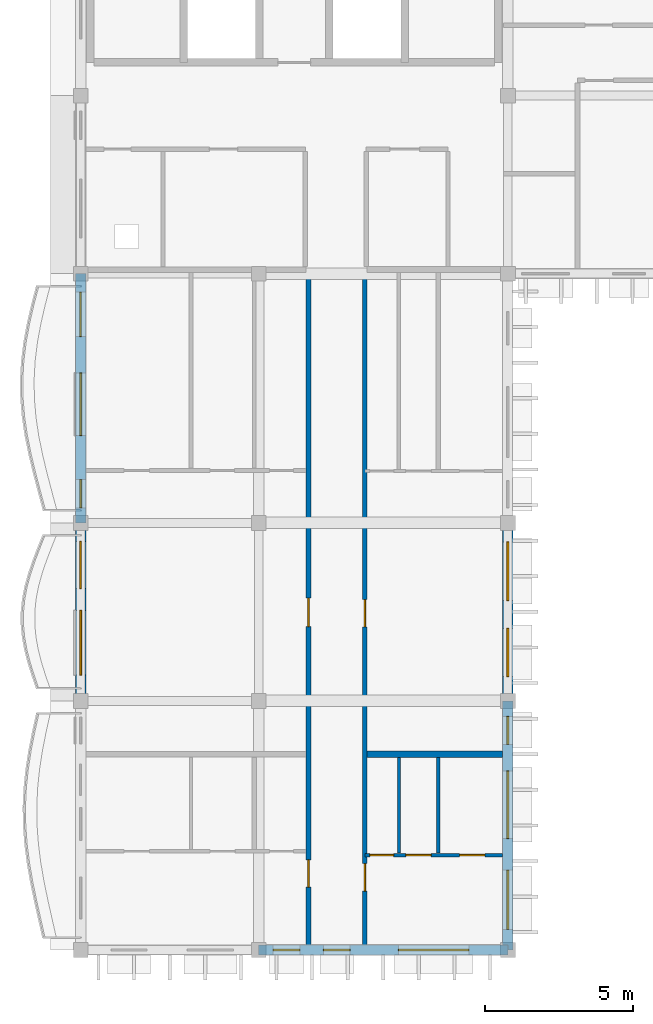
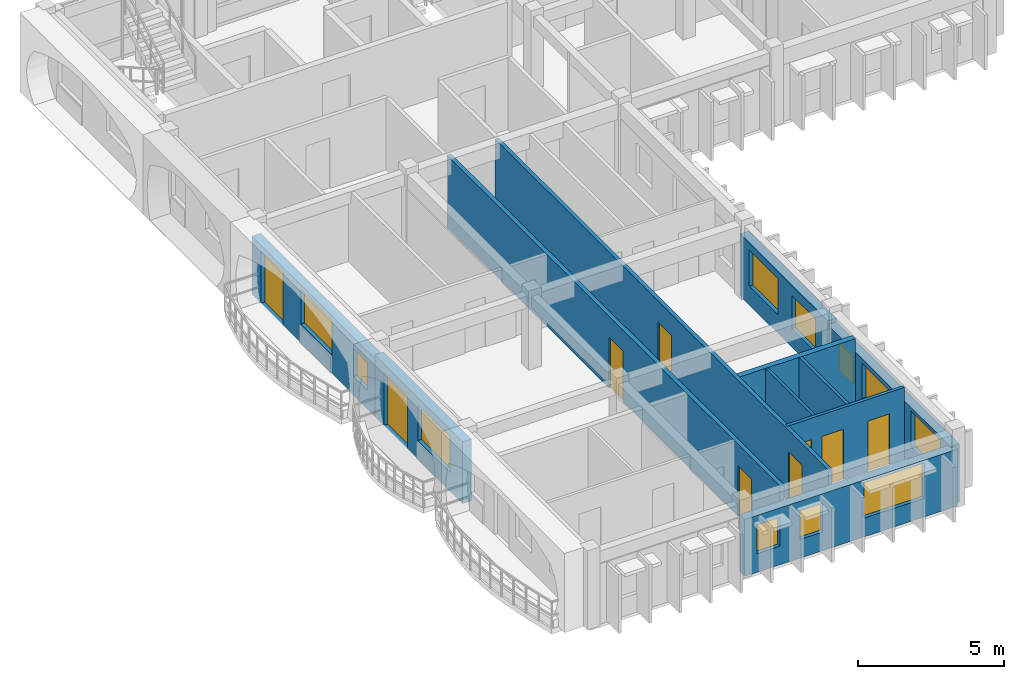
# One storey, part 4 of 11: 11 walls, 11 windows, 9 doors, 20 openings.
"""IFC4 building model written with IfcOpenShell, lengths in metres."""

import ifcopenshell
import ifcopenshell.guid

model = None  # the IFC model being written
_history = None  # IfcOwnerHistory: only IFC2X3 demands one
_inside = {}  # id of a spatial element -> (the spatial element, [elements in it])
_under = {}  # id of a project, library or spatial element -> (it, [spatial elements below it])
_declared = {}  # id of a project -> (the project, [libraries it declares])
_typed = {}  # id of a type object -> (the type object, [elements of that type])
_made_of = {}  # id of a material, layer set ... -> (it, [elements and type objects made of it])


def new_model(schema):
    """Start an empty IFC model of exactly this schema.

    Asked for "IFC4X3", IfcOpenShell would pick the latest addendum, in which some entities
    have other attributes; the version numbers below select the first issue.
    IFC2X3 requires an IfcOwnerHistory on every rooted entity: one is made here for all.
    """
    global model, _history
    if schema == "IFC4X3":
        model = ifcopenshell.file(schema_version=(4, 3, 0, 0))
    else:
        model = ifcopenshell.file(schema=schema)
    _inside.clear()
    _under.clear()
    _declared.clear()
    _typed.clear()
    _made_of.clear()
    _history = None
    if model.schema == "IFC2X3":
        org = make("IfcOrganization", Name="unknown")
        user = make(
            "IfcPersonAndOrganization",
            ThePerson=make("IfcPerson", FamilyName="unknown"),
            TheOrganization=org,
        )
        app = make(
            "IfcApplication",
            ApplicationDeveloper=org,
            Version="unknown",
            ApplicationFullName="unknown",
            ApplicationIdentifier="unknown",
        )
        _history = make(
            "IfcOwnerHistory",
            OwningUser=user,
            OwningApplication=app,
            ChangeAction="ADDED",
            CreationDate=0,
        )
    return model


def make(cls, **values):
    """One entity of the class cls with the attributes given. An attribute that is None is left unset."""
    return model.create_entity(
        cls, **{name: value for name, value in values.items() if value is not None}
    )


def rooted(cls, **values):
    """An entity with a GlobalId (a new one), such as an element, a storey or a relation."""
    return make(cls, GlobalId=ifcopenshell.guid.new(), OwnerHistory=_history, **values)


def si_unit(unit_type, name, prefix=None):
    """IfcSIUnit, for example si_unit("LENGTHUNIT", "METRE", prefix="MILLI")."""
    return make("IfcSIUnit", UnitType=unit_type, Prefix=prefix, Name=name)


def assignment(units):
    """IfcUnitAssignment: the units of a project."""
    return None if units is None else make("IfcUnitAssignment", Units=units)


def point(xyz):
    """IfcCartesianPoint."""
    return None if xyz is None else make("IfcCartesianPoint", Coordinates=xyz)


def direction(xyz):
    """IfcDirection."""
    return None if xyz is None else make("IfcDirection", DirectionRatios=xyz)


def frame(location, z_axis=None, x_axis=None):
    """IfcAxis2Placement3D, a coordinate frame: its origin and axes. An axis left out is left unset."""
    return make(
        "IfcAxis2Placement3D",
        Location=point(location),
        Axis=direction(z_axis),
        RefDirection=direction(x_axis),
    )


def frame_2d(location, x_axis=None):
    """IfcAxis2Placement2D, a coordinate frame in the plane: its origin and x axis."""
    return make(
        "IfcAxis2Placement2D", Location=point(location), RefDirection=direction(x_axis)
    )


def origin():
    """The frame at (0, 0, 0) with its axes left unset."""
    return frame((0.0, 0.0, 0.0))


def place(relative_to, where):
    """IfcLocalPlacement: puts the frame where relative to a parent placement (None: the world)."""
    return make(
        "IfcLocalPlacement", PlacementRelTo=relative_to, RelativePlacement=where
    )


def context(
    kind, dimensions, precision=None, world=None, true_north=None, identifier=None
):
    """IfcGeometricRepresentationContext, for example the 3D "Model" context."""
    return make(
        "IfcGeometricRepresentationContext",
        ContextIdentifier=identifier,
        ContextType=kind,
        CoordinateSpaceDimension=dimensions,
        Precision=precision,
        WorldCoordinateSystem=world,
        TrueNorth=true_north,
    )


def subcontext(parent, identifier, kind, view, scale=None):
    """IfcGeometricRepresentationSubContext, for example "Body" below "Model"."""
    return make(
        "IfcGeometricRepresentationSubContext",
        ContextIdentifier=identifier,
        ContextType=kind,
        ParentContext=parent,
        TargetScale=scale,
        TargetView=view,
    )


def project(units=None, contexts=None):
    """IfcProject with its units and contexts."""
    return rooted(
        "IfcProject",
        Name="project",
        RepresentationContexts=contexts,
        UnitsInContext=assignment(units),
    )


def spatial(cls, under=None, at=None, **own):
    """A site, building, storey or space (cls), placed at a placement, below another one or the project."""
    s = rooted(cls, ObjectPlacement=at, **own)
    if under is not None:
        _under.setdefault(under.id(), (under, []))[1].append(s)
    return s


def profile(cls, at=None, kind="AREA", **sizes):
    """A parametric profile (cls). Its sizes go by their IFC names, for example OverallWidth=200.0."""
    return make(cls, ProfileType=kind, Position=at, **sizes)


def rectangle(**sizes):
    """IfcRectangleProfileDef."""
    return profile("IfcRectangleProfileDef", **sizes)


def extrude(swept, where, along, depth):
    """IfcExtrudedAreaSolid: the profile swept, set in the frame where, extruded along a direction by depth."""
    return make(
        "IfcExtrudedAreaSolid",
        SweptArea=swept,
        Position=where,
        ExtrudedDirection=direction(along),
        Depth=depth,
    )


def shape(context_of_items, identifier, shape_type, items):
    """IfcShapeRepresentation: the items that make up one representation, for example the "Body"."""
    return make(
        "IfcShapeRepresentation",
        ContextOfItems=context_of_items,
        RepresentationIdentifier=identifier,
        RepresentationType=shape_type,
        Items=items,
    )


def material(Name=None, Category=None):
    """IfcMaterial."""
    return make("IfcMaterial", Name=Name, Category=Category)


def layer(
    of_material, thickness, ventilated=None, Name=None, Category=None, Priority=None
):
    """IfcMaterialLayer: one layer of a wall or slab, of a material (None: an air gap)."""
    return make(
        "IfcMaterialLayer",
        Material=of_material,
        LayerThickness=thickness,
        IsVentilated=ventilated,
        Name=Name,
        Category=Category,
        Priority=Priority,
    )


def layer_set(layers, Name=None):
    """IfcMaterialLayerSet."""
    return make("IfcMaterialLayerSet", MaterialLayers=layers, LayerSetName=Name)


def made_of(thing, what):
    """Note that an element or type object is made of a material, layer set ...; save() writes the relation."""
    if what is not None:
        _made_of.setdefault(what.id(), (what, []))[1].append(thing)
    return thing


def type_object(cls, material=None, **own):
    """A type object (cls), such as IfcWallType, which elements share."""
    return made_of(rooted(cls, **own), material)


def element(
    cls,
    number,
    at=None,
    inside=None,
    cuts=None,
    type_object=None,
    material=None,
    context=None,
    identifier="Body",
    shape_type=None,
    held_by="IfcProductDefinitionShape",
    body=None,
    shapes=None,
    **own,
):
    """One element of the class cls, such as IfcWall. Its Tag is "e" and its number.

    at: its placement. inside: the storey or other place that contains it. cuts: it is an
    opening in that element (IfcRelVoidsElement). A single representation is given by context,
    identifier, shape_type and body (its items); several are given by shapes. held_by: the class
    of the entity that holds the representations. save() writes the other relations.
    """
    e = rooted(cls, Tag="e%d" % number, ObjectPlacement=at, **own)
    if body is not None:
        shapes = [shape(context, identifier, shape_type, body)]
    if shapes is not None:
        e.Representation = make(held_by, Representations=shapes)
    if inside is not None:
        _inside.setdefault(inside.id(), (inside, []))[1].append(e)
    if cuts is not None:
        rooted(
            "IfcRelVoidsElement", RelatingBuildingElement=cuts, RelatedOpeningElement=e
        )
    if type_object is not None:
        _typed.setdefault(type_object.id(), (type_object, []))[1].append(e)
    return made_of(e, material)


def fill(opening, filler):
    """IfcRelFillsElement: the door or window that sits in an opening."""
    return rooted(
        "IfcRelFillsElement",
        RelatingOpeningElement=opening,
        RelatedBuildingElement=filler,
    )


def aggregate(whole, parts):
    """IfcRelAggregates: a whole, such as a stair, and the parts it consists of."""
    return rooted("IfcRelAggregates", RelatingObject=whole, RelatedObjects=parts)


def save(model, path):
    """Write the relations noted so far, then the file.

    IfcRelAggregates (storeys below a building ...), IfcRelContainedInSpatialStructure (elements
    in a storey), IfcRelDefinesByType, IfcRelAssociatesMaterial and IfcRelDeclares: one each for
    every whole, place, type object, material and project.
    """
    for whole, parts in _under.values():
        aggregate(whole, parts)
    for where, things in _inside.values():
        rooted(
            "IfcRelContainedInSpatialStructure",
            RelatedElements=things,
            RelatingStructure=where,
        )
    for kind, things in _typed.values():
        rooted("IfcRelDefinesByType", RelatedObjects=things, RelatingType=kind)
    for what, things in _made_of.values():
        rooted("IfcRelAssociatesMaterial", RelatedObjects=things, RelatingMaterial=what)
    for by, libraries in _declared.values():
        rooted("IfcRelDeclares", RelatingContext=by, RelatedDefinitions=libraries)
    model.write(path)


model = new_model("IFC4")

# Units and contexts
model_context = context("Model", 3, precision=1e-05, world=origin(), true_north=direction((0.0, 1.0)))
body_context = subcontext(model_context, "Body", "Model", "MODEL_VIEW")
ifc_project = project(units=[si_unit("LENGTHUNIT", "METRE"), si_unit("AREAUNIT", "SQUARE_METRE"), si_unit("VOLUMEUNIT", "CUBIC_METRE"), si_unit("PLANEANGLEUNIT", "RADIAN"), si_unit("MASSUNIT", "GRAM", prefix="KILO"), si_unit("THERMODYNAMICTEMPERATUREUNIT", "KELVIN")], contexts=[model_context])

# Site, building, storey
site_placement = place(None, origin())
site = spatial("IfcSite", under=ifc_project, at=site_placement, CompositionType="ELEMENT")
building_placement = place(site_placement, origin())
building = spatial("IfcBuilding", under=site, at=building_placement, Name="Thalorik Housing Commons", CompositionType="ELEMENT")
storey_placement = place(building_placement, frame((0.0, 0.0, 47.699951171875)))
storey = spatial("IfcBuildingStorey", under=building, at=storey_placement, Name="L14", CompositionType="ELEMENT", Elevation=47.699951171875)

# Wall, openings, doors
ifc_material_1 = material(Name="Masonry fire-rated corridor wall", Category="masonry")
ifc_layer_1 = layer(ifc_material_1, 0.14990234375, Name="Masonry fire-rated corridor wall", Category="masonry")
ifc_layer_set_1 = layer_set([ifc_layer_1], Name="Masonry fire-rated corridor wall")
wall_type_1 = type_object("IfcWallType", Name="ARC-WAL-CORR-150", PredefinedType="PARTITIONING", material=ifc_layer_set_1)
wall_1_placement = place(storey_placement, frame((17.97998046875, 86.576904296875, 0.0), z_axis=(0.0, 0.0, 1.0), x_axis=(0.0, 1.0, 0.0)))
wall_1 = element("IfcWall", 1, at=wall_1_placement, inside=storey, type_object=wall_type_1, Name="L14 Block A W Corridor Wall 2", PredefinedType="PARTITIONING", context=body_context, shape_type="SweptSolid", body=[
    extrude(rectangle(XDim=22.76318359375, YDim=0.14990234375, at=frame_2d((11.381591796875, 0.0))), origin(), (0.0, 0.0, 1.0), 3.0),
])
opening_1_placement = place(wall_1_placement, frame((1.812255859375, 0.0, 0.0)))
opening_1 = element("IfcOpeningElement", 2, at=opening_1_placement, cuts=wall_1, Name="Opening ID-0971", PredefinedType="OPENING", context=body_context, shape_type="SweptSolid", body=[
    extrude(rectangle(XDim=0.919921875, YDim=2.10009765625, at=frame_2d((0.4599609375, 1.050048828125))), frame((0.0, 0.0849609375, 0.0), z_axis=(0.0, -1.0, 0.0), x_axis=(1.0, 0.0, 0.0)), (0.0, 0.0, 1.0), 0.169921875),
])
opening_2_placement = place(wall_1_placement, frame((10.714599609375, 0.0, 0.0)))
opening_2 = element("IfcOpeningElement", 3, at=opening_2_placement, cuts=wall_1, Name="Opening ID-0972", PredefinedType="OPENING", context=body_context, shape_type="SweptSolid", body=[
    extrude(rectangle(XDim=0.919921875, YDim=2.10009765625, at=frame_2d((0.4599609375, 1.050048828125))), frame((0.0, 0.0849609375, 0.0), z_axis=(0.0, -1.0, 0.0), x_axis=(1.0, 0.0, 0.0)), (0.0, 0.0, 1.0), 0.169921875),
])
ifc_material_2 = material(Name="Solid core hardwood timber", Category="wood")
door_type_1 = type_object("IfcDoorType", Name="ARC-DR-FD30-920", OperationType="NOTDEFINED", PredefinedType="DOOR", material=ifc_material_2)
door_1_placement = place(opening_1_placement, origin())
door_1 = element("IfcDoor", 4, at=door_1_placement, inside=storey, type_object=door_type_1, Name="L14 Flat AW-1B Entrance Door", OperationType="SINGLE_SWING_RIGHT", OverallHeight=2.10009765625, OverallWidth=0.919921875, PredefinedType="DOOR", context=body_context, shape_type="SweptSolid", body=[
    extrude(rectangle(XDim=0.919921875, YDim=2.10009765625, at=frame_2d((0.4599609375, 1.050048828125))), frame((0.0, 0.02490234375, 0.0), z_axis=(0.0, -1.0, 0.0), x_axis=(1.0, 0.0, 0.0)), (0.0, 0.0, 1.0), 0.050048828125),
])
fill(opening_1, door_1)
door_2_placement = place(opening_2_placement, origin())
door_2 = element("IfcDoor", 5, at=door_2_placement, inside=storey, type_object=door_type_1, Name="L14 Flat AW-2B Entrance Door", OperationType="SINGLE_SWING_LEFT", OverallHeight=2.10009765625, OverallWidth=0.919921875, PredefinedType="DOOR", context=body_context, shape_type="SweptSolid", body=[
    extrude(rectangle(XDim=0.919921875, YDim=2.10009765625, at=frame_2d((0.4599609375, 1.050048828125))), frame((0.0, 0.02490234375, 0.0), z_axis=(0.0, -1.0, 0.0), x_axis=(1.0, 0.0, 0.0)), (0.0, 0.0, 1.0), 0.050048828125),
])
fill(opening_2, door_2)

ifc_layer_2 = layer(ifc_material_1, 0.1650390625, Name="Masonry fire-rated corridor wall", Category="masonry")
ifc_layer_set_2 = layer_set([ifc_layer_2], Name="Masonry fire-rated corridor wall")
wall_type_2 = type_object("IfcWallType", Name="ARC-WAL-CORR-165", PredefinedType="PARTITIONING", material=ifc_layer_set_2)
wall_2_placement = place(storey_placement, frame((16.080078125, 86.576904296875, 0.0), z_axis=(0.0, 0.0, 1.0), x_axis=(0.0, 1.0, 0.0)))
wall_2 = element("IfcWall", 6, at=wall_2_placement, inside=storey, type_object=wall_type_2, Name="L14 Block A W Corridor Wall 1", PredefinedType="PARTITIONING", context=body_context, shape_type="SweptSolid", body=[
    extrude(rectangle(XDim=22.76318359375, YDim=0.1650390625, at=frame_2d((11.381591796875, 0.0))), origin(), (0.0, 0.0, 1.0), 3.0),
])
opening_3_placement = place(wall_2_placement, frame((1.943115234375, 0.0, 0.0)))
opening_3 = element("IfcOpeningElement", 7, at=opening_3_placement, cuts=wall_2, Name="Opening ID-0969", PredefinedType="OPENING", context=body_context, shape_type="SweptSolid", body=[
    extrude(rectangle(XDim=0.919921875, YDim=2.10009765625, at=frame_2d((0.4599609375, 1.050048828125))), frame((0.0, 0.092529296875, 0.0), z_axis=(0.0, -1.0, 0.0), x_axis=(1.0, 0.0, 0.0)), (0.0, 0.0, 1.0), 0.18505859375),
])
opening_4_placement = place(wall_2_placement, frame((10.72802734375, 0.0, 0.0)))
opening_4 = element("IfcOpeningElement", 8, at=opening_4_placement, cuts=wall_2, Name="Opening ID-0970", PredefinedType="OPENING", context=body_context, shape_type="SweptSolid", body=[
    extrude(rectangle(XDim=0.9599609375, YDim=2.1201171875, at=frame_2d((0.47998046875, 1.06005859375))), frame((0.0, 0.092529296875, 0.0), z_axis=(0.0, -1.0, 0.0), x_axis=(1.0, 0.0, 0.0)), (0.0, 0.0, 1.0), 0.18505859375),
])
door_3_placement = place(opening_3_placement, origin())
door_3 = element("IfcDoor", 9, at=door_3_placement, inside=storey, type_object=door_type_1, Name="L14 Flat AW-1A Entrance Door", OperationType="SINGLE_SWING_RIGHT", OverallHeight=2.10009765625, OverallWidth=0.919921875, PredefinedType="DOOR", context=body_context, shape_type="SweptSolid", body=[
    extrude(rectangle(XDim=0.919921875, YDim=2.10009765625, at=frame_2d((0.4599609375, 1.050048828125))), frame((0.0, 0.02490234375, 0.0), z_axis=(0.0, -1.0, 0.0), x_axis=(1.0, 0.0, 0.0)), (0.0, 0.0, 1.0), 0.050048828125),
])
fill(opening_3, door_3)
door_type_2 = type_object("IfcDoorType", Name="ARC-DR-FD30-960", OperationType="NOTDEFINED", PredefinedType="DOOR", material=ifc_material_2)
door_4_placement = place(opening_4_placement, origin())
door_4 = element("IfcDoor", 10, at=door_4_placement, inside=storey, type_object=door_type_2, Name="L14 Flat AW-2A Entrance Door", OperationType="SINGLE_SWING_LEFT", OverallHeight=2.1201171875, OverallWidth=0.9599609375, PredefinedType="DOOR", context=body_context, shape_type="SweptSolid", body=[
    extrude(rectangle(XDim=0.9599609375, YDim=2.1201171875, at=frame_2d((0.47998046875, 1.06005859375))), frame((0.0, 0.02490234375, 0.0), z_axis=(0.0, -1.0, 0.0), x_axis=(1.0, 0.0, 0.0)), (0.0, 0.0, 1.0), 0.050048828125),
])
fill(opening_4, door_4)

# Wall, openings, door, windows
ifc_material_3 = material(Name="White precast concrete C40/50", Category="concrete")
ifc_layer_3 = layer(ifc_material_3, 0.35009765625, Name="White precast concrete C40/50", Category="concrete")
ifc_layer_set_3 = layer_set([ifc_layer_3], Name="White precast concrete C40/50")
wall_type_3 = type_object("IfcWallType", Name="ARC-WAL-EXT-350", PredefinedType="STANDARD", material=ifc_layer_set_3)
wall_3_placement = place(storey_placement, frame((8.39990234375, 109.199951171875, 0.0), z_axis=(0.0, 0.0, 1.0), x_axis=(0.0, -1.0, 0.0)))
wall_3 = element("IfcWall", 11, at=wall_3_placement, inside=storey, type_object=wall_type_3, Name="L14 Exterior Wall WAL-EXT-L14-A-0343", PredefinedType="STANDARD", context=body_context, shape_type="SweptSolid", body=[
    extrude(rectangle(XDim=8.39990234375, YDim=0.35009765625, at=frame_2d((4.199951171875, 0.0))), origin(), (0.0, 0.0, 1.0), 2.425048828125),
])
opening_5_placement = place(wall_3_placement, frame((0.6201171875, 0.0, 0.0)))
opening_5 = element("IfcOpeningElement", 12, at=opening_5_placement, cuts=wall_3, Name="Opening ED-0108", PredefinedType="OPENING", context=body_context, shape_type="SweptSolid", body=[
    extrude(rectangle(XDim=1.5, YDim=2.199951171875, at=frame_2d((0.75, 1.10009765625))), frame((0.0, 0.18505859375, 0.0), z_axis=(0.0, -1.0, 0.0), x_axis=(1.0, 0.0, 0.0)), (0.0, 0.0, 1.0), 0.3701171875),
])
opening_6_placement = place(wall_3_placement, frame((3.340087890625, 0.0, 0.780029296875)))
opening_6 = element("IfcOpeningElement", 13, at=opening_6_placement, cuts=wall_3, Name="Opening W-64", PredefinedType="OPENING", context=body_context, shape_type="SweptSolid", body=[
    extrude(rectangle(XDim=2.1201171875, YDim=1.43994140625, at=frame_2d((1.06005859375, 0.719970703125))), frame((0.0, 0.18505859375, 0.0), z_axis=(0.0, -1.0, 0.0), x_axis=(1.0, 0.0, 0.0)), (0.0, 0.0, 1.0), 0.3701171875),
])
opening_7_placement = place(wall_3_placement, frame((6.945068359375, 0.0, 0.780029296875)))
opening_7 = element("IfcOpeningElement", 14, at=opening_7_placement, cuts=wall_3, Name="Opening W-43", PredefinedType="OPENING", context=body_context, shape_type="SweptSolid", body=[
    extrude(rectangle(XDim=0.949951171875, YDim=1.14990234375, at=frame_2d((0.47509765625, 0.574951171875))), frame((0.0, 0.18505859375, 0.0), z_axis=(0.0, -1.0, 0.0), x_axis=(1.0, 0.0, 0.0)), (0.0, 0.0, 1.0), 0.3701171875),
])
ifc_material_4 = material(Name="Anodised aluminium and laminated safety glass", Category="aluminium")
door_type_3 = type_object("IfcDoorType", Name="ARC-DR-BAL-1500", OperationType="NOTDEFINED", PredefinedType="DOOR", material=ifc_material_4)
door_5_placement = place(opening_5_placement, frame((1.5, 0.0, 0.0), z_axis=(0.0, 0.0, 1.0), x_axis=(-1.0, 0.0, 0.0)))
door_5 = element("IfcDoor", 15, at=door_5_placement, inside=storey, type_object=door_type_3, Name="L14 Block A Balcony Glazed Door", OperationType="SLIDING_TO_RIGHT", OverallHeight=2.199951171875, OverallWidth=1.5, PredefinedType="DOOR", context=body_context, shape_type="SweptSolid", body=[
    extrude(rectangle(XDim=1.5, YDim=2.199951171875, at=frame_2d((0.75, 1.10009765625))), frame((0.0, 0.02490234375, 0.0), z_axis=(0.0, -1.0, 0.0), x_axis=(1.0, 0.0, 0.0)), (0.0, 0.0, 1.0), 0.050048828125),
])
fill(opening_5, door_5)
ifc_material_5 = material(Name="Anodised aluminium and solar-control low-E glass", Category="aluminium")
window_type_1 = type_object("IfcWindowType", Name="ARC-WIN-43", PartitioningType="SINGLE_PANEL", PredefinedType="WINDOW", material=ifc_material_5)
window_1_placement = place(opening_7_placement, origin())
window_1 = element("IfcWindow", 16, at=window_1_placement, inside=storey, type_object=window_type_1, Name="L14 Facade Window 612", OverallHeight=1.14990234375, OverallWidth=0.949951171875, PartitioningType="SINGLE_PANEL", PredefinedType="WINDOW", context=body_context, shape_type="SweptSolid", body=[
    extrude(rectangle(XDim=0.949951171875, YDim=1.14990234375, at=frame_2d((0.47509765625, 0.574951171875))), frame((0.0, 0.030029296875, 0.0), z_axis=(0.0, -1.0, 0.0), x_axis=(1.0, 0.0, 0.0)), (0.0, 0.0, 1.0), 0.06005859375),
])
fill(opening_7, window_1)
window_type_2 = type_object("IfcWindowType", Name="ARC-WIN-64", PartitioningType="DOUBLE_PANEL_VERTICAL", PredefinedType="WINDOW", material=ifc_material_5)
window_2_placement = place(opening_6_placement, origin())
window_2 = element("IfcWindow", 17, at=window_2_placement, inside=storey, type_object=window_type_2, Name="L14 Facade Window 611", OverallHeight=1.43994140625, OverallWidth=2.1201171875, PartitioningType="DOUBLE_PANEL_VERTICAL", PredefinedType="WINDOW", context=body_context, shape_type="SweptSolid", body=[
    extrude(rectangle(XDim=2.1201171875, YDim=1.43994140625, at=frame_2d((1.06005859375, 0.719970703125))), frame((0.0, 0.030029296875, 0.0), z_axis=(0.0, -1.0, 0.0), x_axis=(1.0, 0.0, 0.0)), (0.0, 0.0, 1.0), 0.06005859375),
])
fill(opening_6, window_2)

# Wall, openings, door, window
wall_4_placement = place(storey_placement, frame((8.39990234375, 100.800048828125, 0.0), z_axis=(0.0, 0.0, 1.0), x_axis=(0.0, -1.0, 0.0)))
wall_4 = element("IfcWall", 18, at=wall_4_placement, inside=storey, type_object=wall_type_3, Name="L14 Exterior Wall WAL-EXT-L14-A-0344", PredefinedType="STANDARD", context=body_context, shape_type="SweptSolid", body=[
    extrude(rectangle(XDim=6.0, YDim=0.35009765625, at=frame_2d((3.0, 0.0))), origin(), (0.0, 0.0, 1.0), 2.574951171875),
])
opening_8_placement = place(wall_4_placement, frame((0.6201171875, 0.0, 0.0)))
opening_8 = element("IfcOpeningElement", 19, at=opening_8_placement, cuts=wall_4, Name="Opening ED-0109", PredefinedType="OPENING", context=body_context, shape_type="SweptSolid", body=[
    extrude(rectangle(XDim=1.60009765625, YDim=2.199951171875, at=frame_2d((0.800048828125, 1.10009765625))), frame((0.0, 0.18505859375, 0.0), z_axis=(0.0, -1.0, 0.0), x_axis=(1.0, 0.0, 0.0)), (0.0, 0.0, 1.0), 0.3701171875),
])
opening_9_placement = place(wall_4_placement, frame((2.949951171875, 0.0, 0.780029296875)))
opening_9 = element("IfcOpeningElement", 20, at=opening_9_placement, cuts=wall_4, Name="Opening W-65", PredefinedType="OPENING", context=body_context, shape_type="SweptSolid", body=[
    extrude(rectangle(XDim=2.179931640625, YDim=1.47998046875, at=frame_2d((1.08984375, 0.739990234375))), frame((0.0, 0.18505859375, 0.0), z_axis=(0.0, -1.0, 0.0), x_axis=(1.0, 0.0, 0.0)), (0.0, 0.0, 1.0), 0.3701171875),
])
door_type_4 = type_object("IfcDoorType", Name="ARC-DR-BAL-1600", OperationType="NOTDEFINED", PredefinedType="DOOR", material=ifc_material_4)
door_6_placement = place(opening_8_placement, frame((1.60009765625, 0.0, 0.0), z_axis=(0.0, 0.0, 1.0), x_axis=(-1.0, 0.0, 0.0)))
door_6 = element("IfcDoor", 21, at=door_6_placement, inside=storey, type_object=door_type_4, Name="L14 Block A Balcony Glazed Door", OperationType="SLIDING_TO_LEFT", OverallHeight=2.199951171875, OverallWidth=1.60009765625, PredefinedType="DOOR", context=body_context, shape_type="SweptSolid", body=[
    extrude(rectangle(XDim=1.60009765625, YDim=2.199951171875, at=frame_2d((0.800048828125, 1.10009765625))), frame((0.0, 0.02490234375, 0.0), z_axis=(0.0, -1.0, 0.0), x_axis=(1.0, 0.0, 0.0)), (0.0, 0.0, 1.0), 0.050048828125),
])
fill(opening_8, door_6)
window_type_3 = type_object("IfcWindowType", Name="ARC-WIN-65", PartitioningType="DOUBLE_PANEL_VERTICAL", PredefinedType="WINDOW", material=ifc_material_5)
window_3_placement = place(opening_9_placement, origin())
window_3 = element("IfcWindow", 22, at=window_3_placement, inside=storey, type_object=window_type_3, Name="L14 Facade Window 613", OverallHeight=1.47998046875, OverallWidth=2.179931640625, PartitioningType="DOUBLE_PANEL_VERTICAL", PredefinedType="WINDOW", context=body_context, shape_type="SweptSolid", body=[
    extrude(rectangle(XDim=2.179931640625, YDim=1.47998046875, at=frame_2d((1.08984375, 0.739990234375))), frame((0.0, 0.030029296875, 0.0), z_axis=(0.0, -1.0, 0.0), x_axis=(1.0, 0.0, 0.0)), (0.0, 0.0, 1.0), 0.06005859375),
])
fill(opening_9, window_3)

# Wall, openings, windows
wall_5_placement = place(storey_placement, frame((14.39990234375, 86.39990234375, 0.0), z_axis=(0.0, 0.0, 1.0), x_axis=(1.0, 0.0, 0.0)))
wall_5 = element("IfcWall", 23, at=wall_5_placement, inside=storey, type_object=wall_type_3, Name="L14 Exterior Wall WAL-EXT-L14-A-0347", PredefinedType="STANDARD", context=body_context, shape_type="SweptSolid", body=[
    extrude(rectangle(XDim=8.400146484375, YDim=0.35009765625, at=frame_2d((4.2001953125, 0.0))), origin(), (0.0, 0.0, 1.0), 2.375),
])
opening_10_placement = place(wall_5_placement, frame((0.485107421875, 0.0, 0.780029296875)))
opening_10 = element("IfcOpeningElement", 24, at=opening_10_placement, cuts=wall_5, Name="Opening W-01", PredefinedType="OPENING", context=body_context, shape_type="SweptSolid", body=[
    extrude(rectangle(XDim=0.89990234375, YDim=1.199951171875, at=frame_2d((0.449951171875, 0.60009765625))), frame((0.0, 0.18505859375, 0.0), z_axis=(0.0, -1.0, 0.0), x_axis=(1.0, 0.0, 0.0)), (0.0, 0.0, 1.0), 0.3701171875),
])
opening_11_placement = place(wall_5_placement, frame((2.179931640625, 0.0, 0.780029296875)))
opening_11 = element("IfcOpeningElement", 25, at=opening_11_placement, cuts=wall_5, Name="Opening W-01", PredefinedType="OPENING", context=body_context, shape_type="SweptSolid", body=[
    extrude(rectangle(XDim=0.89990234375, YDim=1.199951171875, at=frame_2d((0.449951171875, 0.60009765625))), frame((0.0, 0.18505859375, 0.0), z_axis=(0.0, -1.0, 0.0), x_axis=(1.0, 0.0, 0.0)), (0.0, 0.0, 1.0), 0.3701171875),
])
opening_12_placement = place(wall_5_placement, frame((4.705078125, 0.0, 0.780029296875)))
opening_12 = element("IfcOpeningElement", 26, at=opening_12_placement, cuts=wall_5, Name="Opening W-69", PredefinedType="OPENING", context=body_context, shape_type="SweptSolid", body=[
    extrude(rectangle(XDim=2.3798828125, YDim=1.47998046875, at=frame_2d((1.18994140625, 0.739990234375))), frame((0.0, 0.18505859375, 0.0), z_axis=(0.0, -1.0, 0.0), x_axis=(1.0, 0.0, 0.0)), (0.0, 0.0, 1.0), 0.3701171875),
])
window_type_4 = type_object("IfcWindowType", Name="ARC-WIN-01", PartitioningType="SINGLE_PANEL", PredefinedType="WINDOW", material=ifc_material_5)
window_4_placement = place(opening_10_placement, origin())
window_4 = element("IfcWindow", 27, at=window_4_placement, inside=storey, type_object=window_type_4, Name="L14 Facade Window 619", OverallHeight=1.199951171875, OverallWidth=0.89990234375, PartitioningType="SINGLE_PANEL", PredefinedType="WINDOW", context=body_context, shape_type="SweptSolid", body=[
    extrude(rectangle(XDim=0.89990234375, YDim=1.199951171875, at=frame_2d((0.449951171875, 0.60009765625))), frame((0.0, 0.030029296875, 0.0), z_axis=(0.0, -1.0, 0.0), x_axis=(1.0, 0.0, 0.0)), (0.0, 0.0, 1.0), 0.06005859375),
])
fill(opening_10, window_4)
window_5_placement = place(opening_11_placement, origin())
window_5 = element("IfcWindow", 28, at=window_5_placement, inside=storey, type_object=window_type_4, Name="L14 Facade Window 620", OverallHeight=1.199951171875, OverallWidth=0.89990234375, PartitioningType="SINGLE_PANEL", PredefinedType="WINDOW", context=body_context, shape_type="SweptSolid", body=[
    extrude(rectangle(XDim=0.89990234375, YDim=1.199951171875, at=frame_2d((0.449951171875, 0.60009765625))), frame((0.0, 0.030029296875, 0.0), z_axis=(0.0, -1.0, 0.0), x_axis=(1.0, 0.0, 0.0)), (0.0, 0.0, 1.0), 0.06005859375),
])
fill(opening_11, window_5)
window_type_5 = type_object("IfcWindowType", Name="ARC-WIN-69", PartitioningType="DOUBLE_PANEL_VERTICAL", PredefinedType="WINDOW", material=ifc_material_5)
window_6_placement = place(opening_12_placement, origin())
window_6 = element("IfcWindow", 29, at=window_6_placement, inside=storey, type_object=window_type_5, Name="L14 Facade Window 621", OverallHeight=1.47998046875, OverallWidth=2.3798828125, PartitioningType="DOUBLE_PANEL_VERTICAL", PredefinedType="WINDOW", context=body_context, shape_type="SweptSolid", body=[
    extrude(rectangle(XDim=2.3798828125, YDim=1.47998046875, at=frame_2d((1.18994140625, 0.739990234375))), frame((0.0, 0.030029296875, 0.0), z_axis=(0.0, -1.0, 0.0), x_axis=(1.0, 0.0, 0.0)), (0.0, 0.0, 1.0), 0.06005859375),
])
fill(opening_12, window_6)

wall_6_placement = place(storey_placement, frame((22.800048828125, 86.39990234375, 0.0), z_axis=(0.0, 0.0, 1.0), x_axis=(0.0, 1.0, 0.0)))
wall_6 = element("IfcWall", 30, at=wall_6_placement, inside=storey, type_object=wall_type_3, Name="L14 Exterior Wall WAL-EXT-L14-A-0348", PredefinedType="STANDARD", context=body_context, shape_type="SweptSolid", body=[
    extrude(rectangle(XDim=8.400146484375, YDim=0.35009765625, at=frame_2d((4.2001953125, 0.0))), origin(), (0.0, 0.0, 1.0), 2.425048828125),
])
opening_13_placement = place(wall_6_placement, frame((0.694580078125, 0.0, 0.780029296875)))
opening_13 = element("IfcOpeningElement", 31, at=opening_13_placement, cuts=wall_6, Name="Opening W-23", PredefinedType="OPENING", context=body_context, shape_type="SweptSolid", body=[
    extrude(rectangle(XDim=2.0, YDim=1.5, at=frame_2d((1.0, 0.75))), frame((0.0, 0.18505859375, 0.0), z_axis=(0.0, -1.0, 0.0), x_axis=(1.0, 0.0, 0.0)), (0.0, 0.0, 1.0), 0.3701171875),
])
opening_14_placement = place(wall_6_placement, frame((3.759521484375, 0.0, 0.780029296875)))
opening_14 = element("IfcOpeningElement", 32, at=opening_14_placement, cuts=wall_6, Name="Opening W-67", PredefinedType="OPENING", context=body_context, shape_type="SweptSolid", body=[
    extrude(rectangle(XDim=2.280029296875, YDim=1.4599609375, at=frame_2d((1.14013671875, 0.72998046875))), frame((0.0, 0.18505859375, 0.0), z_axis=(0.0, -1.0, 0.0), x_axis=(1.0, 0.0, 0.0)), (0.0, 0.0, 1.0), 0.3701171875),
])
opening_15_placement = place(wall_6_placement, frame((6.929931640625, 0.0, 0.780029296875)))
opening_15 = element("IfcOpeningElement", 33, at=opening_15_placement, cuts=wall_6, Name="Opening W-43", PredefinedType="OPENING", context=body_context, shape_type="SweptSolid", body=[
    extrude(rectangle(XDim=0.949951171875, YDim=1.14990234375, at=frame_2d((0.47509765625, 0.574951171875))), frame((0.0, 0.18505859375, 0.0), z_axis=(0.0, -1.0, 0.0), x_axis=(1.0, 0.0, 0.0)), (0.0, 0.0, 1.0), 0.3701171875),
])
window_type_6 = type_object("IfcWindowType", Name="ARC-WIN-23", PartitioningType="DOUBLE_PANEL_VERTICAL", PredefinedType="WINDOW", material=ifc_material_5)
window_7_placement = place(opening_13_placement, origin())
window_7 = element("IfcWindow", 34, at=window_7_placement, inside=storey, type_object=window_type_6, Name="L14 Facade Window 622", OverallHeight=1.5, OverallWidth=2.0, PartitioningType="DOUBLE_PANEL_VERTICAL", PredefinedType="WINDOW", context=body_context, shape_type="SweptSolid", body=[
    extrude(rectangle(XDim=2.0, YDim=1.5, at=frame_2d((1.0, 0.75))), frame((0.0, 0.030029296875, 0.0), z_axis=(0.0, -1.0, 0.0), x_axis=(1.0, 0.0, 0.0)), (0.0, 0.0, 1.0), 0.06005859375),
])
fill(opening_13, window_7)
window_8_placement = place(opening_15_placement, origin())
window_8 = element("IfcWindow", 35, at=window_8_placement, inside=storey, type_object=window_type_1, Name="L14 Facade Window 624", OverallHeight=1.14990234375, OverallWidth=0.949951171875, PartitioningType="SINGLE_PANEL", PredefinedType="WINDOW", context=body_context, shape_type="SweptSolid", body=[
    extrude(rectangle(XDim=0.949951171875, YDim=1.14990234375, at=frame_2d((0.47509765625, 0.574951171875))), frame((0.0, 0.030029296875, 0.0), z_axis=(0.0, -1.0, 0.0), x_axis=(1.0, 0.0, 0.0)), (0.0, 0.0, 1.0), 0.06005859375),
])
fill(opening_15, window_8)
window_type_7 = type_object("IfcWindowType", Name="ARC-WIN-67", PartitioningType="DOUBLE_PANEL_VERTICAL", PredefinedType="WINDOW", material=ifc_material_5)
window_9_placement = place(opening_14_placement, origin())
window_9 = element("IfcWindow", 36, at=window_9_placement, inside=storey, type_object=window_type_7, Name="L14 Facade Window 623", OverallHeight=1.4599609375, OverallWidth=2.280029296875, PartitioningType="DOUBLE_PANEL_VERTICAL", PredefinedType="WINDOW", context=body_context, shape_type="SweptSolid", body=[
    extrude(rectangle(XDim=2.280029296875, YDim=1.4599609375, at=frame_2d((1.14013671875, 0.72998046875))), frame((0.0, 0.030029296875, 0.0), z_axis=(0.0, -1.0, 0.0), x_axis=(1.0, 0.0, 0.0)), (0.0, 0.0, 1.0), 0.06005859375),
])
fill(opening_14, window_9)

wall_7_placement = place(storey_placement, frame((22.800048828125, 94.800048828125, 0.0), z_axis=(0.0, 0.0, 1.0), x_axis=(0.0, 1.0, 0.0)))
wall_7 = element("IfcWall", 37, at=wall_7_placement, inside=storey, type_object=wall_type_3, Name="L14 Exterior Wall WAL-EXT-L14-A-0349", PredefinedType="STANDARD", context=body_context, shape_type="SweptSolid", body=[
    extrude(rectangle(XDim=6.0, YDim=0.35009765625, at=frame_2d((3.0, 0.0))), origin(), (0.0, 0.0, 1.0), 2.574951171875),
])
opening_16_placement = place(wall_7_placement, frame((0.820068359375, 0.0, 0.780029296875)))
opening_16 = element("IfcOpeningElement", 38, at=opening_16_placement, cuts=wall_7, Name="Opening W-54", PredefinedType="OPENING", context=body_context, shape_type="SweptSolid", body=[
    extrude(rectangle(XDim=1.6201171875, YDim=1.3798828125, at=frame_2d((0.81005859375, 0.68994140625))), frame((0.0, 0.18505859375, 0.0), z_axis=(0.0, -1.0, 0.0), x_axis=(1.0, 0.0, 0.0)), (0.0, 0.0, 1.0), 0.3701171875),
])
opening_17_placement = place(wall_7_placement, frame((3.3798828125, 0.0, 0.780029296875)))
opening_17 = element("IfcOpeningElement", 39, at=opening_17_placement, cuts=wall_7, Name="Opening W-61", PredefinedType="OPENING", context=body_context, shape_type="SweptSolid", body=[
    extrude(rectangle(XDim=1.97998046875, YDim=1.5, at=frame_2d((0.989990234375, 0.75))), frame((0.0, 0.18505859375, 0.0), z_axis=(0.0, -1.0, 0.0), x_axis=(1.0, 0.0, 0.0)), (0.0, 0.0, 1.0), 0.3701171875),
])
window_type_8 = type_object("IfcWindowType", Name="ARC-WIN-54", PartitioningType="DOUBLE_PANEL_VERTICAL", PredefinedType="WINDOW", material=ifc_material_5)
window_10_placement = place(opening_16_placement, origin())
window_10 = element("IfcWindow", 40, at=window_10_placement, inside=storey, type_object=window_type_8, Name="L14 Facade Window 625", OverallHeight=1.3798828125, OverallWidth=1.6201171875, PartitioningType="DOUBLE_PANEL_VERTICAL", PredefinedType="WINDOW", context=body_context, shape_type="SweptSolid", body=[
    extrude(rectangle(XDim=1.6201171875, YDim=1.3798828125, at=frame_2d((0.81005859375, 0.68994140625))), frame((0.0, 0.030029296875, 0.0), z_axis=(0.0, -1.0, 0.0), x_axis=(1.0, 0.0, 0.0)), (0.0, 0.0, 1.0), 0.06005859375),
])
fill(opening_16, window_10)
window_type_9 = type_object("IfcWindowType", Name="ARC-WIN-61", PartitioningType="DOUBLE_PANEL_VERTICAL", PredefinedType="WINDOW", material=ifc_material_5)
window_11_placement = place(opening_17_placement, origin())
window_11 = element("IfcWindow", 41, at=window_11_placement, inside=storey, type_object=window_type_9, Name="L14 Facade Window 626", OverallHeight=1.5, OverallWidth=1.97998046875, PartitioningType="DOUBLE_PANEL_VERTICAL", PredefinedType="WINDOW", context=body_context, shape_type="SweptSolid", body=[
    extrude(rectangle(XDim=1.97998046875, YDim=1.5, at=frame_2d((0.989990234375, 0.75))), frame((0.0, 0.030029296875, 0.0), z_axis=(0.0, -1.0, 0.0), x_axis=(1.0, 0.0, 0.0)), (0.0, 0.0, 1.0), 0.06005859375),
])
fill(opening_17, window_11)

# Walls
ifc_material_6 = material(Name="Gypsum light stud partition", Category="masonry")
ifc_layer_4 = layer(ifc_material_6, 0.10009765625, Name="Gypsum light stud partition", Category="masonry")
ifc_layer_set_4 = layer_set([ifc_layer_4], Name="Gypsum light stud partition")
wall_type_4 = type_object("IfcWallType", Name="ARC-WAL-PART-100", PredefinedType="PARTITIONING", material=ifc_layer_set_4)
wall_8_placement = place(storey_placement, frame((19.122314453125, 89.663818359375, 0.0), z_axis=(0.0, 0.0, 1.0), x_axis=(0.0, 1.0, 0.0)))
element("IfcWall", 42, at=wall_8_placement, inside=storey, type_object=wall_type_4, Name="L14 Unit 1B Wet Wall", PredefinedType="PARTITIONING", context=body_context, shape_type="SweptSolid", body=[
    extrude(rectangle(XDim=3.22412109375, YDim=0.10009765625, at=frame_2d((1.612060546875, 0.0))), origin(), (0.0, 0.0, 1.0), 3.0),
])
ifc_material_7 = material(Name="Gypsum moisture-resistant partition", Category="masonry")
ifc_layer_5 = layer(ifc_material_7, 0.114990234375, Name="Gypsum moisture-resistant partition", Category="masonry")
ifc_layer_set_5 = layer_set([ifc_layer_5], Name="Gypsum moisture-resistant partition")
wall_type_5 = type_object("IfcWallType", Name="ARC-WAL-PART-115", PredefinedType="PARTITIONING", material=ifc_layer_set_5)
wall_9_placement = place(storey_placement, frame((20.455078125, 89.663818359375, 0.0), z_axis=(0.0, 0.0, 1.0), x_axis=(0.0, 1.0, 0.0)))
element("IfcWall", 43, at=wall_9_placement, inside=storey, type_object=wall_type_5, Name="L14 Unit 1B Bedroom Partition", PredefinedType="PARTITIONING", context=body_context, shape_type="SweptSolid", body=[
    extrude(rectangle(XDim=3.22412109375, YDim=0.114990234375, at=frame_2d((1.612060546875, 0.0))), origin(), (0.0, 0.0, 1.0), 3.0),
])

# Wall, openings, doors
ifc_material_8 = material(Name="Gypsum acoustic stud partition", Category="masonry")
ifc_layer_6 = layer(ifc_material_8, 0.125, Name="Gypsum acoustic stud partition", Category="masonry")
ifc_layer_set_6 = layer_set([ifc_layer_6], Name="Gypsum acoustic stud partition")
wall_type_6 = type_object("IfcWallType", Name="ARC-WAL-PART-125", PredefinedType="PARTITIONING", material=ifc_layer_set_6)
wall_10_placement = place(storey_placement, frame((17.97998046875, 89.59912109375, 0.0), z_axis=(0.0, 0.0, 1.0), x_axis=(1.0, 0.0, 0.0)))
wall_10 = element("IfcWall", 44, at=wall_10_placement, inside=storey, type_object=wall_type_6, Name="L14 Unit 1B Spine Partition", PredefinedType="PARTITIONING", context=body_context, shape_type="SweptSolid", body=[
    extrude(rectangle(XDim=4.64306640625, YDim=0.125, at=frame_2d((2.321533203125, 0.0))), origin(), (0.0, 0.0, 1.0), 3.0),
])
opening_18_placement = place(wall_10_placement, frame((0.171142578125, 0.0, 0.0)))
opening_18 = element("IfcOpeningElement", 45, at=opening_18_placement, cuts=wall_10, Name="Opening ID-0960", PredefinedType="OPENING", context=body_context, shape_type="SweptSolid", body=[
    extrude(rectangle(XDim=0.800048828125, YDim=2.10009765625, at=frame_2d((0.39990234375, 1.050048828125))), frame((0.0, 0.072509765625, 0.0), z_axis=(0.0, -1.0, 0.0), x_axis=(1.0, 0.0, 0.0)), (0.0, 0.0, 1.0), 0.14501953125),
])
opening_19_placement = place(wall_10_placement, frame((1.3837890625, 0.0, 0.0)))
opening_19 = element("IfcOpeningElement", 46, at=opening_19_placement, cuts=wall_10, Name="Opening ID-0961", PredefinedType="OPENING", context=body_context, shape_type="SweptSolid", body=[
    extrude(rectangle(XDim=0.85009765625, YDim=2.10009765625, at=frame_2d((0.425048828125, 1.050048828125))), frame((0.0, 0.072509765625, 0.0), z_axis=(0.0, -1.0, 0.0), x_axis=(1.0, 0.0, 0.0)), (0.0, 0.0, 1.0), 0.14501953125),
])
opening_20_placement = place(wall_10_placement, frame((3.192626953125, 0.0, 0.0)))
opening_20 = element("IfcOpeningElement", 47, at=opening_20_placement, cuts=wall_10, Name="Opening ID-0962", PredefinedType="OPENING", context=body_context, shape_type="SweptSolid", body=[
    extrude(rectangle(XDim=0.85009765625, YDim=2.10009765625, at=frame_2d((0.425048828125, 1.050048828125))), frame((0.0, 0.072509765625, 0.0), z_axis=(0.0, -1.0, 0.0), x_axis=(1.0, 0.0, 0.0)), (0.0, 0.0, 1.0), 0.14501953125),
])
ifc_material_9 = material(Name="Moisture-resistant timber", Category="wood")
door_type_5 = type_object("IfcDoorType", Name="ARC-DR-INT-800", OperationType="NOTDEFINED", PredefinedType="DOOR", material=ifc_material_9)
door_7_placement = place(opening_18_placement, origin())
door_7 = element("IfcDoor", 48, at=door_7_placement, inside=storey, type_object=door_type_5, Name="L14 Accessible Bathroom Door", OperationType="SINGLE_SWING_LEFT", OverallHeight=2.10009765625, OverallWidth=0.800048828125, PredefinedType="DOOR", context=body_context, shape_type="SweptSolid", body=[
    extrude(rectangle(XDim=0.800048828125, YDim=2.10009765625, at=frame_2d((0.39990234375, 1.050048828125))), frame((0.0, 0.02490234375, 0.0), z_axis=(0.0, -1.0, 0.0), x_axis=(1.0, 0.0, 0.0)), (0.0, 0.0, 1.0), 0.050048828125),
])
fill(opening_18, door_7)
ifc_material_10 = material(Name="Engineered oak timber", Category="wood")
door_type_6 = type_object("IfcDoorType", Name="ARC-DR-INT-850", OperationType="NOTDEFINED", PredefinedType="DOOR", material=ifc_material_10)
door_8_placement = place(opening_19_placement, origin())
door_8 = element("IfcDoor", 49, at=door_8_placement, inside=storey, type_object=door_type_6, Name="L14 Galley Kitchen Door", OperationType="SINGLE_SWING_RIGHT", OverallHeight=2.10009765625, OverallWidth=0.85009765625, PredefinedType="DOOR", context=body_context, shape_type="SweptSolid", body=[
    extrude(rectangle(XDim=0.85009765625, YDim=2.10009765625, at=frame_2d((0.425048828125, 1.050048828125))), frame((0.0, 0.02490234375, 0.0), z_axis=(0.0, -1.0, 0.0), x_axis=(1.0, 0.0, 0.0)), (0.0, 0.0, 1.0), 0.050048828125),
])
fill(opening_19, door_8)
door_9_placement = place(opening_20_placement, origin())
door_9 = element("IfcDoor", 50, at=door_9_placement, inside=storey, type_object=door_type_6, Name="L14 Double Bedroom Door", OperationType="SINGLE_SWING_LEFT", OverallHeight=2.10009765625, OverallWidth=0.85009765625, PredefinedType="DOOR", context=body_context, shape_type="SweptSolid", body=[
    extrude(rectangle(XDim=0.85009765625, YDim=2.10009765625, at=frame_2d((0.425048828125, 1.050048828125))), frame((0.0, 0.02490234375, 0.0), z_axis=(0.0, -1.0, 0.0), x_axis=(1.0, 0.0, 0.0)), (0.0, 0.0, 1.0), 0.050048828125),
])
fill(opening_20, door_9)

# Wall
ifc_material_11 = material(Name="Precast concrete C40/50 acoustic wall", Category="concrete")
ifc_layer_7 = layer(ifc_material_11, 0.219970703125, Name="Precast concrete C40/50 acoustic wall", Category="concrete")
ifc_layer_set_7 = layer_set([ifc_layer_7], Name="Precast concrete C40/50 acoustic wall")
wall_type_7 = type_object("IfcWallType", Name="ARC-WAL-PARTY-220", PredefinedType="PARTITIONING", material=ifc_layer_set_7)
wall_11_placement = place(storey_placement, frame((18.056884765625, 93.0, 0.0), z_axis=(0.0, 0.0, 1.0), x_axis=(1.0, 0.0, 0.0)))
element("IfcWall", 51, at=wall_11_placement, inside=storey, type_object=wall_type_7, Name="L14 Inter-Tenancy Wall 1B", PredefinedType="PARTITIONING", context=body_context, shape_type="SweptSolid", body=[
    extrude(rectangle(XDim=4.566162109375, YDim=0.219970703125, at=frame_2d((2.283203125, 0.0))), origin(), (0.0, 0.0, 1.0), 3.0),
])

save(model, "model.ifc")
